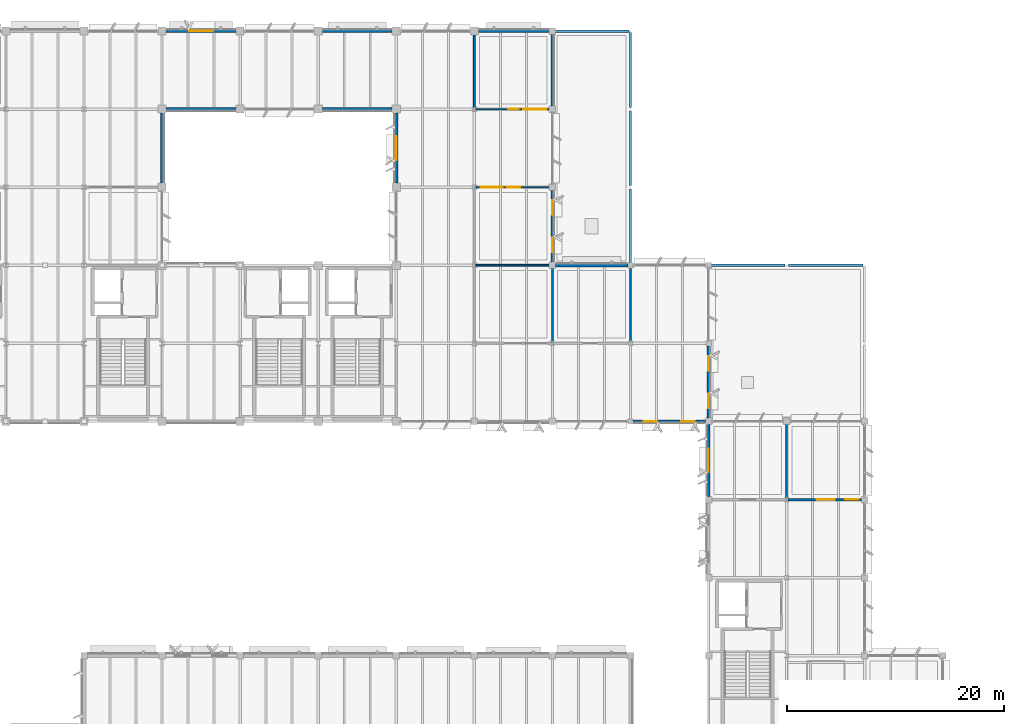
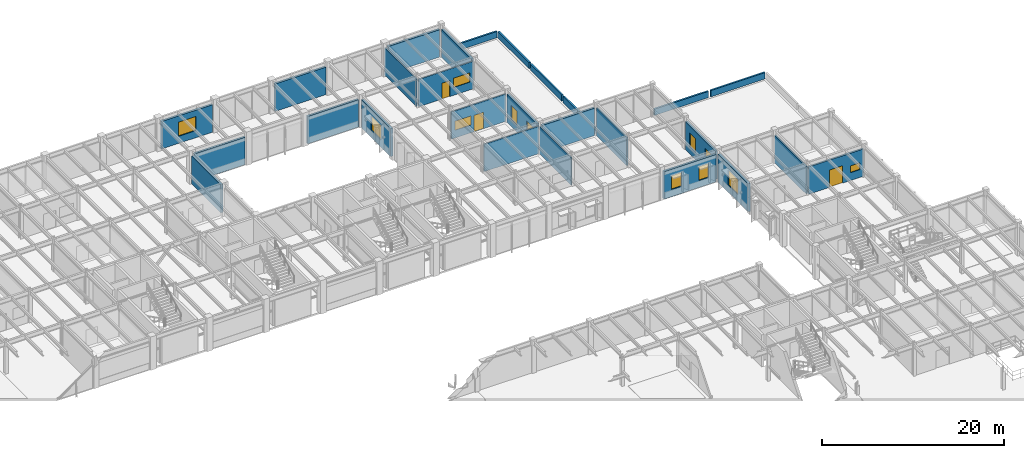
# One storey, part 41 of 92: 27 walls, 12 windows, 3 doors, 15 openings.
"""IFC4 building model written with IfcOpenShell, lengths in metres."""

from ifc_helpers import new_model, si_unit, direction, frame, frame_2d, origin, place, context, subcontext, project, spatial, rectangle, extrude, material, layer, layer_set, type_object, element, fill, save


model = new_model("IFC4")

# Units and contexts
model_context = context("Model", 3, precision=1e-05, world=origin(), true_north=direction((0.0, 1.0)))
body_context = subcontext(model_context, "Body", "Model", "MODEL_VIEW")
ifc_project = project(units=[si_unit("LENGTHUNIT", "METRE"), si_unit("AREAUNIT", "SQUARE_METRE"), si_unit("VOLUMEUNIT", "CUBIC_METRE"), si_unit("PLANEANGLEUNIT", "RADIAN"), si_unit("MASSUNIT", "GRAM", prefix="KILO")], contexts=[model_context])

# Site, building, storey
site_placement = place(None, origin())
site = spatial("IfcSite", under=ifc_project, at=site_placement, CompositionType="ELEMENT")
building_placement = place(site_placement, origin())
building = spatial("IfcBuilding", under=site, at=building_placement, Name="Sillqori Civic Hall", CompositionType="ELEMENT")
storey_placement = place(building_placement, frame((0.0, 0.0, 5.39990234375)))
storey = spatial("IfcBuildingStorey", under=building, at=storey_placement, Name="L02", CompositionType="ELEMENT", Elevation=5.39990234375)

# Walls
ifc_material_1 = material(Name="Precast concrete C40/50 (H40)", Category="concrete")
ifc_layer_1 = layer(ifc_material_1, 0.280029296875)
ifc_layer_set_1 = layer_set([ifc_layer_1], Name="Precast concrete C40/50 (H40)")
wall_type_1 = type_object("IfcWallType", Name="EW-LIME-280", PredefinedType="SOLIDWALL", material=ifc_layer_set_1)
wall_1_placement = place(storey_placement, frame((72.0, 107.625, 0.0), z_axis=(0.0, 0.0, 1.0), x_axis=(0.0, -1.0, 0.0)))
element("IfcWall", 1, at=wall_1_placement, inside=storey, type_object=wall_type_1, Name="L02 V4 exterior wall L02-09-14-E", PredefinedType="SOLIDWALL", context=body_context, shape_type="SweptSolid", body=[
    extrude(rectangle(XDim=6.449951171875, YDim=0.280029296875, at=frame_2d((3.22509765625, 0.0))), origin(), (0.0, 0.0, 1.0), 3.76708984375),
])
wall_2_placement = place(storey_placement, frame((78.824951171875, 108.0, 0.0), z_axis=(0.0, 0.0, 1.0), x_axis=(-1.0, 0.0, 0.0)))
element("IfcWall", 2, at=wall_2_placement, inside=storey, type_object=wall_type_1, Name="L02 V4 exterior wall L02-10-15-S", PredefinedType="SOLIDWALL", context=body_context, shape_type="SweptSolid", body=[
    extrude(rectangle(XDim=6.449951171875, YDim=0.280029296875, at=frame_2d((3.22509765625, 0.0))), origin(), (0.0, 0.0, 1.0), 3.697998046875),
])

# Wall, opening, window
wall_3_placement = place(storey_placement, frame((72.375, 115.199951171875, 0.0), z_axis=(0.0, 0.0, 1.0), x_axis=(1.0, 0.0, 0.0)))
wall_3 = element("IfcWall", 3, at=wall_3_placement, inside=storey, type_object=wall_type_1, Name="L02 V4 exterior wall L02-10-15-N", PredefinedType="SOLIDWALL", context=body_context, shape_type="SweptSolid", body=[
    extrude(rectangle(XDim=6.449951171875, YDim=0.280029296875, at=frame_2d((3.22509765625, 0.0))), origin(), (0.0, 0.0, 1.0), 3.697998046875),
])
opening_1_placement = place(wall_3_placement, frame((2.125, 0.0, 0.949951171875)))
opening_1 = element("IfcOpeningElement", 4, at=opening_1_placement, cuts=wall_3, Name="Opening W-14", PredefinedType="OPENING", context=body_context, shape_type="SweptSolid", body=[
    extrude(rectangle(XDim=2.199951171875, YDim=1.89990234375, at=frame_2d((1.10009765625, 0.949951171875))), frame((0.0, 0.14990234375, 0.0), z_axis=(0.0, -1.0, 0.0), x_axis=(1.0, 0.0, 0.0)), (0.0, 0.0, 1.0), 0.300048828125),
])
ifc_material_2 = material(Name="Thermally Broken Aluminium Low-E Window", Category="aluminium")
window_type_1 = type_object("IfcWindowType", Name="WIN-V4-220X190", PartitioningType="SINGLE_PANEL", PredefinedType="WINDOW", material=ifc_material_2)
window_1_placement = place(opening_1_placement, origin())
window_1 = element("IfcWindow", 5, at=window_1_placement, inside=storey, type_object=window_type_1, Name="L02 V4 window L02-10-15-N.1", OverallHeight=1.89990234375, OverallWidth=2.199951171875, PartitioningType="SINGLE_PANEL", PredefinedType="WINDOW", context=body_context, shape_type="SweptSolid", body=[
    extrude(rectangle(XDim=2.199951171875, YDim=1.89990234375, at=frame_2d((1.10009765625, 0.949951171875))), frame((0.0, 0.030029296875, 0.0), z_axis=(0.0, -1.0, 0.0), x_axis=(1.0, 0.0, 0.0)), (0.0, 0.0, 1.0), 0.06005859375),
])
fill(opening_1, window_1)

# Walls
for number, where, z_axis, x_axis, name in (
    (6, (93.22509765625, 108.0, 0.0), (0.0, 0.0, 1.0), (-1.0, 0.0, 0.0), "L02 V4 exterior wall L02-12-15-S"),
    (7, (86.77490234375, 115.199951171875, 0.0), (0.0, 0.0, 1.0), (1.0, 0.0, 0.0), "L02 V4 exterior wall L02-12-15-N"),
):
    element("IfcWall", number, at=place(storey_placement, frame(where, z_axis=z_axis, x_axis=x_axis)), inside=storey, type_object=wall_type_1, Name=name, PredefinedType="SOLIDWALL", context=body_context, shape_type="SweptSolid", body=[
        extrude(rectangle(XDim=6.4501953125, YDim=0.280029296875, at=frame_2d((3.22509765625, 0.0))), origin(), (0.0, 0.0, 1.0), 3.697998046875),
    ])

# Wall, opening, window
wall_4_placement = place(storey_placement, frame((93.60009765625, 101.175048828125, 0.0), z_axis=(0.0, 0.0, 1.0), x_axis=(0.0, 1.0, 0.0)))
wall_4 = element("IfcWall", 8, at=wall_4_placement, inside=storey, type_object=wall_type_1, Name="L02 V4 exterior wall L02-13-14-W", PredefinedType="SOLIDWALL", context=body_context, shape_type="SweptSolid", body=[
    extrude(rectangle(XDim=6.449951171875, YDim=0.280029296875, at=frame_2d((3.22509765625, 0.0))), origin(), (0.0, 0.0, 1.0), 3.76708984375),
])
opening_2_placement = place(wall_4_placement, frame((2.125, 0.0, 0.949951171875)))
opening_2 = element("IfcOpeningElement", 9, at=opening_2_placement, cuts=wall_4, Name="Opening W-14", PredefinedType="OPENING", context=body_context, shape_type="SweptSolid", body=[
    extrude(rectangle(XDim=2.199951171875, YDim=1.89990234375, at=frame_2d((1.10009765625, 0.949951171875))), frame((0.0, 0.14990234375, 0.0), z_axis=(0.0, -1.0, 0.0), x_axis=(1.0, 0.0, 0.0)), (0.0, 0.0, 1.0), 0.300048828125),
])
window_2_placement = place(opening_2_placement, origin())
window_2 = element("IfcWindow", 10, at=window_2_placement, inside=storey, type_object=window_type_1, Name="L02 V4 window L02-13-14-W.1", OverallHeight=1.89990234375, OverallWidth=2.199951171875, PartitioningType="SINGLE_PANEL", PredefinedType="WINDOW", context=body_context, shape_type="SweptSolid", body=[
    extrude(rectangle(XDim=2.199951171875, YDim=1.89990234375, at=frame_2d((1.10009765625, 0.949951171875))), frame((0.0, 0.030029296875, 0.0), z_axis=(0.0, -1.0, 0.0), x_axis=(1.0, 0.0, 0.0)), (0.0, 0.0, 1.0), 0.06005859375),
])
fill(opening_2, window_2)

# Wall, openings, windows
wall_5_placement = place(storey_placement, frame((108.0, 100.5, 0.0), z_axis=(0.0, 0.0, 1.0), x_axis=(0.0, -1.0, 0.0)))
wall_5 = element("IfcWall", 11, at=wall_5_placement, inside=storey, type_object=wall_type_1, Name="L02 V4 exterior wall L02-14-13-E", PredefinedType="SOLIDWALL", context=body_context, shape_type="SweptSolid", body=[
    extrude(rectangle(XDim=6.60009765625, YDim=0.280029296875, at=frame_2d((3.300048828125, 0.0))), origin(), (0.0, 0.0, 1.0), 3.76708984375),
])
opening_3_placement = place(wall_5_placement, frame((0.908935546875, 0.0, 0.949951171875)))
opening_3 = element("IfcOpeningElement", 12, at=opening_3_placement, cuts=wall_5, Name="Opening W-42", PredefinedType="OPENING", context=body_context, shape_type="SweptSolid", body=[
    extrude(rectangle(XDim=1.35009765625, YDim=1.85009765625, at=frame_2d((0.675048828125, 0.925048828125))), frame((0.0, 0.14990234375, 0.0), z_axis=(0.0, -1.0, 0.0), x_axis=(1.0, 0.0, 0.0)), (0.0, 0.0, 1.0), 0.300048828125),
])
opening_4_placement = place(wall_5_placement, frame((4.341064453125, 0.0, 0.949951171875)))
opening_4 = element("IfcOpeningElement", 13, at=opening_4_placement, cuts=wall_5, Name="Opening W-42", PredefinedType="OPENING", context=body_context, shape_type="SweptSolid", body=[
    extrude(rectangle(XDim=1.35009765625, YDim=1.85009765625, at=frame_2d((0.675048828125, 0.925048828125))), frame((0.0, 0.14990234375, 0.0), z_axis=(0.0, -1.0, 0.0), x_axis=(1.0, 0.0, 0.0)), (0.0, 0.0, 1.0), 0.300048828125),
])
window_type_2 = type_object("IfcWindowType", Name="WIN-GD-135X185", PartitioningType="SINGLE_PANEL", PredefinedType="WINDOW", material=ifc_material_2)
window_3_placement = place(opening_3_placement, origin())
window_3 = element("IfcWindow", 14, at=window_3_placement, inside=storey, type_object=window_type_2, Name="L02 V4 window L02-14-13-E.1", OverallHeight=1.85009765625, OverallWidth=1.35009765625, PartitioningType="SINGLE_PANEL", PredefinedType="WINDOW", context=body_context, shape_type="SweptSolid", body=[
    extrude(rectangle(XDim=1.35009765625, YDim=1.85009765625, at=frame_2d((0.675048828125, 0.925048828125))), frame((0.0, 0.030029296875, 0.0), z_axis=(0.0, -1.0, 0.0), x_axis=(1.0, 0.0, 0.0)), (0.0, 0.0, 1.0), 0.06005859375),
])
fill(opening_3, window_3)
window_4_placement = place(opening_4_placement, origin())
window_4 = element("IfcWindow", 15, at=window_4_placement, inside=storey, type_object=window_type_2, Name="L02 V4 window L02-14-13-E.2", OverallHeight=1.85009765625, OverallWidth=1.35009765625, PartitioningType="SINGLE_PANEL", PredefinedType="WINDOW", context=body_context, shape_type="SweptSolid", body=[
    extrude(rectangle(XDim=1.35009765625, YDim=1.85009765625, at=frame_2d((0.675048828125, 0.925048828125))), frame((0.0, 0.030029296875, 0.0), z_axis=(0.0, -1.0, 0.0), x_axis=(1.0, 0.0, 0.0)), (0.0, 0.0, 1.0), 0.06005859375),
])
fill(opening_4, window_4)

# Walls
wall_6_placement = place(storey_placement, frame((101.175048828125, 115.199951171875, 0.0), z_axis=(0.0, 0.0, 1.0), x_axis=(1.0, 0.0, 0.0)))
element("IfcWall", 16, at=wall_6_placement, inside=storey, type_object=wall_type_1, Name="L02 V4 exterior wall L02-14-15-N", PredefinedType="SOLIDWALL", context=body_context, shape_type="SweptSolid", body=[
    extrude(rectangle(XDim=6.52490234375, YDim=0.280029296875, at=frame_2d((3.262451171875, 0.0))), origin(), (0.0, 0.0, 1.0), 3.697998046875),
])
wall_7_placement = place(storey_placement, frame((108.0, 114.89990234375, 0.0), z_axis=(0.0, 0.0, 1.0), x_axis=(0.0, -1.0, 0.0)))
element("IfcWall", 17, at=wall_7_placement, inside=storey, type_object=wall_type_1, Name="L02 V4 exterior wall L02-14-15-E", PredefinedType="SOLIDWALL", context=body_context, shape_type="SweptSolid", body=[
    extrude(rectangle(XDim=6.599853515625, YDim=0.280029296875, at=frame_2d((3.2998046875, 0.0))), origin(), (0.0, 0.0, 1.0), 3.76708984375),
])
wall_8_placement = place(storey_placement, frame((108.300048828125, 93.60009765625, 0.0), z_axis=(0.0, 0.0, 1.0), x_axis=(1.0, 0.0, 0.0)))
element("IfcWall", 18, at=wall_8_placement, inside=storey, type_object=wall_type_1, Name="L02 V4 exterior wall L02-15-12-N", PredefinedType="SOLIDWALL", context=body_context, shape_type="SweptSolid", body=[
    extrude(rectangle(XDim=6.64990234375, YDim=0.280029296875, at=frame_2d((3.324951171875, 0.0))), origin(), (0.0, 0.0, 1.0), 3.697998046875),
])

# Wall, openings, windows
wall_9_placement = place(storey_placement, frame((122.10009765625, 79.199951171875, 0.0), z_axis=(0.0, 0.0, 1.0), x_axis=(-1.0, 0.0, 0.0)))
wall_9 = element("IfcWall", 19, at=wall_9_placement, inside=storey, type_object=wall_type_1, Name="L02 V4 exterior wall L02-16-11-S", PredefinedType="SOLIDWALL", context=body_context, shape_type="SweptSolid", body=[
    extrude(rectangle(XDim=6.650146484375, YDim=0.280029296875, at=frame_2d((3.3251953125, 0.0))), origin(), (0.0, 0.0, 1.0), 3.697998046875),
])
opening_5_placement = place(wall_9_placement, frame((0.970947265625, 0.0, 0.949951171875)))
opening_5 = element("IfcOpeningElement", 20, at=opening_5_placement, cuts=wall_9, Name="Opening W-41", PredefinedType="OPENING", context=body_context, shape_type="SweptSolid", body=[
    extrude(rectangle(XDim=1.25, YDim=1.85009765625, at=frame_2d((0.625, 0.925048828125))), frame((0.0, 0.14990234375, 0.0), z_axis=(0.0, -1.0, 0.0), x_axis=(1.0, 0.0, 0.0)), (0.0, 0.0, 1.0), 0.300048828125),
])
opening_6_placement = place(wall_9_placement, frame((4.428955078125, 0.0, 0.949951171875)))
opening_6 = element("IfcOpeningElement", 21, at=opening_6_placement, cuts=wall_9, Name="Opening W-41", PredefinedType="OPENING", context=body_context, shape_type="SweptSolid", body=[
    extrude(rectangle(XDim=1.25, YDim=1.85009765625, at=frame_2d((0.625, 0.925048828125))), frame((0.0, 0.14990234375, 0.0), z_axis=(0.0, -1.0, 0.0), x_axis=(1.0, 0.0, 0.0)), (0.0, 0.0, 1.0), 0.300048828125),
])
window_type_3 = type_object("IfcWindowType", Name="WIN-GD-125X185", PartitioningType="SINGLE_PANEL", PredefinedType="WINDOW", material=ifc_material_2)
window_5_placement = place(opening_5_placement, origin())
window_5 = element("IfcWindow", 22, at=window_5_placement, inside=storey, type_object=window_type_3, Name="L02 V4 window L02-16-11-S.1", OverallHeight=1.85009765625, OverallWidth=1.25, PartitioningType="SINGLE_PANEL", PredefinedType="WINDOW", context=body_context, shape_type="SweptSolid", body=[
    extrude(rectangle(XDim=1.25, YDim=1.85009765625, at=frame_2d((0.625, 0.925048828125))), frame((0.0, 0.030029296875, 0.0), z_axis=(0.0, -1.0, 0.0), x_axis=(1.0, 0.0, 0.0)), (0.0, 0.0, 1.0), 0.06005859375),
])
fill(opening_5, window_5)
window_6_placement = place(opening_6_placement, origin())
window_6 = element("IfcWindow", 23, at=window_6_placement, inside=storey, type_object=window_type_3, Name="L02 V4 window L02-16-11-S.2", OverallHeight=1.85009765625, OverallWidth=1.25, PartitioningType="SINGLE_PANEL", PredefinedType="WINDOW", context=body_context, shape_type="SweptSolid", body=[
    extrude(rectangle(XDim=1.25, YDim=1.85009765625, at=frame_2d((0.625, 0.925048828125))), frame((0.0, 0.030029296875, 0.0), z_axis=(0.0, -1.0, 0.0), x_axis=(1.0, 0.0, 0.0)), (0.0, 0.0, 1.0), 0.06005859375),
])
fill(opening_6, window_6)

wall_10_placement = place(storey_placement, frame((122.39990234375, 86.14990234375, 0.0), z_axis=(0.0, 0.0, 1.0), x_axis=(0.0, -1.0, 0.0)))
wall_10 = element("IfcWall", 24, at=wall_10_placement, inside=storey, type_object=wall_type_1, Name="L02 V4 exterior wall L02-16-11-E", PredefinedType="SOLIDWALL", context=body_context, shape_type="SweptSolid", body=[
    extrude(rectangle(XDim=6.64990234375, YDim=0.280029296875, at=frame_2d((3.324951171875, 0.0))), origin(), (0.0, 0.0, 1.0), 3.76708984375),
])
opening_7_placement = place(wall_10_placement, frame((0.9208984375, 0.0, 0.949951171875)))
opening_7 = element("IfcOpeningElement", 25, at=opening_7_placement, cuts=wall_10, Name="Opening W-42", PredefinedType="OPENING", context=body_context, shape_type="SweptSolid", body=[
    extrude(rectangle(XDim=1.35009765625, YDim=1.85009765625, at=frame_2d((0.675048828125, 0.925048828125))), frame((0.0, 0.14990234375, 0.0), z_axis=(0.0, -1.0, 0.0), x_axis=(1.0, 0.0, 0.0)), (0.0, 0.0, 1.0), 0.300048828125),
])
opening_8_placement = place(wall_10_placement, frame((4.37890625, 0.0, 0.949951171875)))
opening_8 = element("IfcOpeningElement", 26, at=opening_8_placement, cuts=wall_10, Name="Opening W-42", PredefinedType="OPENING", context=body_context, shape_type="SweptSolid", body=[
    extrude(rectangle(XDim=1.35009765625, YDim=1.85009765625, at=frame_2d((0.675048828125, 0.925048828125))), frame((0.0, 0.14990234375, 0.0), z_axis=(0.0, -1.0, 0.0), x_axis=(1.0, 0.0, 0.0)), (0.0, 0.0, 1.0), 0.300048828125),
])
window_7_placement = place(opening_7_placement, origin())
window_7 = element("IfcWindow", 27, at=window_7_placement, inside=storey, type_object=window_type_2, Name="L02 V4 window L02-16-11-E.1", OverallHeight=1.85009765625, OverallWidth=1.35009765625, PartitioningType="SINGLE_PANEL", PredefinedType="WINDOW", context=body_context, shape_type="SweptSolid", body=[
    extrude(rectangle(XDim=1.35009765625, YDim=1.85009765625, at=frame_2d((0.675048828125, 0.925048828125))), frame((0.0, 0.030029296875, 0.0), z_axis=(0.0, -1.0, 0.0), x_axis=(1.0, 0.0, 0.0)), (0.0, 0.0, 1.0), 0.06005859375),
])
fill(opening_7, window_7)
window_8_placement = place(opening_8_placement, origin())
window_8 = element("IfcWindow", 28, at=window_8_placement, inside=storey, type_object=window_type_2, Name="L02 V4 window L02-16-11-E.2", OverallHeight=1.85009765625, OverallWidth=1.35009765625, PartitioningType="SINGLE_PANEL", PredefinedType="WINDOW", context=body_context, shape_type="SweptSolid", body=[
    extrude(rectangle(XDim=1.35009765625, YDim=1.85009765625, at=frame_2d((0.675048828125, 0.925048828125))), frame((0.0, 0.030029296875, 0.0), z_axis=(0.0, -1.0, 0.0), x_axis=(1.0, 0.0, 0.0)), (0.0, 0.0, 1.0), 0.06005859375),
])
fill(opening_8, window_8)

# Wall, opening, window
ifc_layer_2 = layer(ifc_material_1, 0.300048828125)
ifc_layer_set_2 = layer_set([ifc_layer_2], Name="Precast concrete C40/50 (H40)")
wall_type_2 = type_object("IfcWallType", Name="EW-LIME-300", PredefinedType="SOLIDWALL", material=ifc_layer_set_2)
wall_11_placement = place(storey_placement, frame((122.39990234375, 72.300048828125, 0.0), z_axis=(0.0, 0.0, 1.0), x_axis=(0.0, 1.0, 0.0)))
wall_11 = element("IfcWall", 29, at=wall_11_placement, inside=storey, type_object=wall_type_2, Name="L02 V3 exterior wall L02-17-10-W", PredefinedType="SOLIDWALL", context=body_context, shape_type="SweptSolid", body=[
    extrude(rectangle(XDim=6.599853515625, YDim=0.300048828125, at=frame_2d((3.2998046875, 0.0))), origin(), (0.0, 0.0, 1.0), 3.76708984375),
])
opening_9_placement = place(wall_11_placement, frame((2.22509765625, 0.0, 0.949951171875)))
opening_9 = element("IfcOpeningElement", 30, at=opening_9_placement, cuts=wall_11, Name="Opening W-37", PredefinedType="OPENING", context=body_context, shape_type="SweptSolid", body=[
    extrude(rectangle(XDim=2.14990234375, YDim=2.050048828125, at=frame_2d((1.074951171875, 1.02490234375))), frame((0.0, 0.159912109375, 0.0), z_axis=(0.0, -1.0, 0.0), x_axis=(1.0, 0.0, 0.0)), (0.0, 0.0, 1.0), 0.320068359375),
])
window_type_4 = type_object("IfcWindowType", Name="WIN-GD-215X205", PartitioningType="SINGLE_PANEL", PredefinedType="WINDOW", material=ifc_material_2)
window_9_placement = place(opening_9_placement, origin())
window_9 = element("IfcWindow", 31, at=window_9_placement, inside=storey, type_object=window_type_4, Name="L02 V3 window L02-17-10-W.1", OverallHeight=2.050048828125, OverallWidth=2.14990234375, PartitioningType="SINGLE_PANEL", PredefinedType="WINDOW", context=body_context, shape_type="SweptSolid", body=[
    extrude(rectangle(XDim=2.14990234375, YDim=2.050048828125, at=frame_2d((1.074951171875, 1.02490234375))), frame((0.0, 0.030029296875, 0.0), z_axis=(0.0, -1.0, 0.0), x_axis=(1.0, 0.0, 0.0)), (0.0, 0.0, 1.0), 0.06005859375),
])
fill(opening_9, window_9)

# Walls
ifc_material_3 = material(Name="Hearing Acoustic Partition 154", Category="gypsum")
ifc_layer_3 = layer(ifc_material_3, 0.154052734375)
ifc_layer_set_3 = layer_set([ifc_layer_3], Name="Hearing Acoustic Partition 154")
wall_type_3 = type_object("IfcWallType", Name="PT-GYP-154", PredefinedType="PARTITIONING", material=ifc_layer_set_3)
for number, where, z_axis, x_axis, name in (
    (32, (100.919921875, 93.60009765625, 0.0), (0.0, 0.0, 1.0), (1.0, 0.0, 0.0), "Staff Seminar and Civic Training Classroom L02-08 partition N2"),
    (33, (108.0, 93.47998046875, 0.0), (0.0, 0.0, 1.0), (0.0, -1.0, 0.0), "Staff Seminar and Civic Training Classroom L02-08 partition E4"),
):
    element("IfcWall", number, at=place(storey_placement, frame(where, z_axis=z_axis, x_axis=x_axis)), inside=storey, type_object=wall_type_3, Name=name, PredefinedType="PARTITIONING", context=body_context, shape_type="SweptSolid", body=[
        extrude(rectangle(XDim=6.9599609375, YDim=0.154052734375, at=frame_2d((3.47998046875, 0.0))), origin(), (0.0, 0.0, 1.0), 3.68798828125),
    ])

# Wall, openings, door, window
ifc_material_4 = material(Name="Hearing Acoustic Partition 158", Category="gypsum")
ifc_layer_4 = layer(ifc_material_4, 0.157958984375)
ifc_layer_set_4 = layer_set([ifc_layer_4], Name="Hearing Acoustic Partition 158")
wall_type_4 = type_object("IfcWallType", Name="PT-GYP-158", PredefinedType="PARTITIONING", material=ifc_layer_set_4)
wall_12_placement = place(storey_placement, frame((100.919921875, 100.800048828125, 0.0), z_axis=(0.0, 0.0, 1.0), x_axis=(1.0, 0.0, 0.0)))
wall_12 = element("IfcWall", 34, at=wall_12_placement, inside=storey, type_object=wall_type_4, Name="Urban Mobility and Transport Directorate L02-09 partition N1", PredefinedType="PARTITIONING", context=body_context, shape_type="SweptSolid", body=[
    extrude(rectangle(XDim=6.9599609375, YDim=0.157958984375, at=frame_2d((3.47998046875, 0.0))), origin(), (0.0, 0.0, 1.0), 3.68798828125),
])
opening_10_placement = place(wall_12_placement, frame((2.85498046875, 0.0, 0.0)))
opening_10 = element("IfcOpeningElement", 35, at=opening_10_placement, cuts=wall_12, Name="Opening ID-23", PredefinedType="OPENING", context=body_context, shape_type="SweptSolid", body=[
    extrude(rectangle(XDim=1.25, YDim=2.199951171875, at=frame_2d((0.625, 1.10009765625))), frame((0.0, 0.0888671875, 0.0), z_axis=(0.0, -1.0, 0.0), x_axis=(1.0, 0.0, 0.0)), (0.0, 0.0, 1.0), 0.177978515625),
])
opening_11_placement = place(wall_12_placement, frame((0.449951171875, 0.0, 1.050048828125)))
opening_11 = element("IfcOpeningElement", 36, at=opening_11_placement, cuts=wall_12, Name="Opening IW-18", PredefinedType="OPENING", context=body_context, shape_type="SweptSolid", body=[
    extrude(rectangle(XDim=2.050048828125, YDim=1.219970703125, at=frame_2d((1.02490234375, 0.60986328125))), frame((0.0, 0.0888671875, 0.0), z_axis=(0.0, -1.0, 0.0), x_axis=(1.0, 0.0, 0.0)), (0.0, 0.0, 1.0), 0.177978515625),
])
ifc_material_5 = material(Name="Conservation Studio Leaf-and-Half", Category="timber")
door_type_1 = type_object("IfcDoorType", Name="IDR-WRK-125X220", OperationType="NOTDEFINED", PredefinedType="DOOR", material=ifc_material_5)
door_1_placement = place(opening_10_placement, origin())
door_1 = element("IfcDoor", 37, at=door_1_placement, inside=storey, type_object=door_type_1, Name="Urban Mobility and Transport Directorate L02-09 entrance door", OperationType="SINGLE_SWING_RIGHT", OverallHeight=2.199951171875, OverallWidth=1.25, PredefinedType="DOOR", context=body_context, shape_type="SweptSolid", body=[
    extrude(rectangle(XDim=1.25, YDim=2.199951171875, at=frame_2d((0.625, 1.10009765625))), frame((0.0, 0.02490234375, 0.0), z_axis=(0.0, -1.0, 0.0), x_axis=(1.0, 0.0, 0.0)), (0.0, 0.0, 1.0), 0.050048828125),
])
fill(opening_10, door_1)
ifc_material_6 = material(Name="Acoustic Laminated Interior Clerestory Glazing", Category="glass")
window_type_5 = type_object("IfcWindowType", Name="IWN-STU-205X122", PartitioningType="SINGLE_PANEL", PredefinedType="WINDOW", material=ifc_material_6)
window_10_placement = place(opening_11_placement, origin())
window_10 = element("IfcWindow", 38, at=window_10_placement, inside=storey, type_object=window_type_5, Name="Urban Mobility and Transport Directorate L02-09 borrowed-light screen", OverallHeight=1.219970703125, OverallWidth=2.050048828125, PartitioningType="SINGLE_PANEL", PredefinedType="WINDOW", context=body_context, shape_type="SweptSolid", body=[
    extrude(rectangle(XDim=2.050048828125, YDim=1.219970703125, at=frame_2d((1.02490234375, 0.60986328125))), frame((0.0, 0.030029296875, 0.0), z_axis=(0.0, -1.0, 0.0), x_axis=(1.0, 0.0, 0.0)), (0.0, 0.0, 1.0), 0.06005859375),
])
fill(opening_11, window_10)

ifc_material_7 = material(Name="Concrete C25/30 (H25)", Category="concrete")
ifc_layer_5 = layer(ifc_material_7, 0.1650390625)
ifc_layer_set_5 = layer_set([ifc_layer_5], Name="Concrete C25/30 (H25)")
wall_type_5 = type_object("IfcWallType", Name="PT-MAS-165", PredefinedType="PARTITIONING", material=ifc_layer_set_5)
wall_13_placement = place(storey_placement, frame((107.8798828125, 108.0, 0.0), z_axis=(0.0, 0.0, 1.0), x_axis=(-1.0, 0.0, 0.0)))
wall_13 = element("IfcWall", 39, at=wall_13_placement, inside=storey, type_object=wall_type_5, Name="Municipal Cadastre GIS Mapping Studio L02-10 partition S1", PredefinedType="PARTITIONING", context=body_context, shape_type="SweptSolid", body=[
    extrude(rectangle(XDim=6.9599609375, YDim=0.1650390625, at=frame_2d((3.47998046875, 0.0))), origin(), (0.0, 0.0, 1.0), 3.68798828125),
])
opening_12_placement = place(wall_13_placement, frame((2.989990234375, 0.0, 0.0)))
opening_12 = element("IfcOpeningElement", 40, at=opening_12_placement, cuts=wall_13, Name="Opening ID-24", PredefinedType="OPENING", context=body_context, shape_type="SweptSolid", body=[
    extrude(rectangle(XDim=0.97998046875, YDim=2.14990234375, at=frame_2d((0.489990234375, 1.074951171875))), frame((0.0, 0.092529296875, 0.0), z_axis=(0.0, -1.0, 0.0), x_axis=(1.0, 0.0, 0.0)), (0.0, 0.0, 1.0), 0.18505859375),
])
opening_13_placement = place(wall_13_placement, frame((0.449951171875, 0.0, 1.050048828125)))
opening_13 = element("IfcOpeningElement", 41, at=opening_13_placement, cuts=wall_13, Name="Opening IW-19", PredefinedType="OPENING", context=body_context, shape_type="SweptSolid", body=[
    extrude(rectangle(XDim=2.10009765625, YDim=1.260009765625, at=frame_2d((1.050048828125, 0.6298828125))), frame((0.0, 0.092529296875, 0.0), z_axis=(0.0, -1.0, 0.0), x_axis=(1.0, 0.0, 0.0)), (0.0, 0.0, 1.0), 0.18505859375),
])
ifc_material_8 = material(Name="Directorate Cedar Door 980", Category="timber")
door_type_2 = type_object("IfcDoorType", Name="IDR-DIR-098X215", OperationType="NOTDEFINED", PredefinedType="DOOR", material=ifc_material_8)
door_2_placement = place(opening_12_placement, origin())
door_2 = element("IfcDoor", 42, at=door_2_placement, inside=storey, type_object=door_type_2, Name="Municipal Cadastre GIS Mapping Studio L02-10 entrance door", OperationType="SINGLE_SWING_LEFT", OverallHeight=2.14990234375, OverallWidth=0.97998046875, PredefinedType="DOOR", context=body_context, shape_type="SweptSolid", body=[
    extrude(rectangle(XDim=0.97998046875, YDim=2.14990234375, at=frame_2d((0.489990234375, 1.074951171875))), frame((0.0, 0.02490234375, 0.0), z_axis=(0.0, -1.0, 0.0), x_axis=(1.0, 0.0, 0.0)), (0.0, 0.0, 1.0), 0.050048828125),
])
fill(opening_12, door_2)
window_type_6 = type_object("IfcWindowType", Name="IWN-STU-210X126", PartitioningType="SINGLE_PANEL", PredefinedType="WINDOW", material=ifc_material_6)
window_11_placement = place(opening_13_placement, origin())
window_11 = element("IfcWindow", 43, at=window_11_placement, inside=storey, type_object=window_type_6, Name="Municipal Cadastre GIS Mapping Studio L02-10 borrowed-light screen", OverallHeight=1.260009765625, OverallWidth=2.10009765625, PartitioningType="SINGLE_PANEL", PredefinedType="WINDOW", context=body_context, shape_type="SweptSolid", body=[
    extrude(rectangle(XDim=2.10009765625, YDim=1.260009765625, at=frame_2d((1.050048828125, 0.6298828125))), frame((0.0, 0.030029296875, 0.0), z_axis=(0.0, -1.0, 0.0), x_axis=(1.0, 0.0, 0.0)), (0.0, 0.0, 1.0), 0.06005859375),
])
fill(opening_13, window_11)

# Walls
wall_14_placement = place(storey_placement, frame((100.800048828125, 108.1201171875, 0.0), z_axis=(0.0, 0.0, 1.0), x_axis=(0.0, 1.0, 0.0)))
element("IfcWall", 44, at=wall_14_placement, inside=storey, type_object=wall_type_5, Name="Municipal Cadastre GIS Mapping Studio L02-10 partition W2", PredefinedType="PARTITIONING", context=body_context, shape_type="SweptSolid", body=[
    extrude(rectangle(XDim=6.9599609375, YDim=0.1650390625, at=frame_2d((3.47998046875, 0.0))), origin(), (0.0, 0.0, 1.0), 3.68798828125),
])
ifc_layer_6 = layer(ifc_material_7, 0.18505859375)
ifc_layer_set_6 = layer_set([ifc_layer_6], Name="Concrete C25/30 (H25)")
wall_type_6 = type_object("IfcWallType", Name="PT-MAS-185", PredefinedType="PARTITIONING", material=ifc_layer_set_6)
wall_15_placement = place(storey_placement, frame((115.199951171875, 93.320068359375, 0.0), z_axis=(0.0, 0.0, 1.0), x_axis=(0.0, -1.0, 0.0)))
element("IfcWall", 45, at=wall_15_placement, inside=storey, type_object=wall_type_6, Name="Environmental Licensing Review Office L02-11 partition E3", PredefinedType="PARTITIONING", context=body_context, shape_type="SweptSolid", body=[
    extrude(rectangle(XDim=6.64013671875, YDim=0.18505859375, at=frame_2d((3.320068359375, 0.0))), origin(), (0.0, 0.0, 1.0), 3.757080078125),
])
ifc_layer_7 = layer(ifc_material_7, 0.199951171875)
ifc_layer_set_7 = layer_set([ifc_layer_7], Name="Concrete C25/30 (H25)")
wall_type_7 = type_object("IfcWallType", Name="PT-MAS-200", PredefinedType="PARTITIONING", material=ifc_layer_set_7)
wall_16_placement = place(storey_placement, frame((129.60009765625, 79.080078125, 0.0), z_axis=(0.0, 0.0, 1.0), x_axis=(0.0, -1.0, 0.0)))
element("IfcWall", 46, at=wall_16_placement, inside=storey, type_object=wall_type_7, Name="Library Open Book Stacks North partition E2", PredefinedType="PARTITIONING", context=body_context, shape_type="SweptSolid", body=[
    extrude(rectangle(XDim=6.9599609375, YDim=0.199951171875, at=frame_2d((3.47998046875, 0.0))), origin(), (0.0, 0.0, 1.0), 3.677978515625),
])

# Wall, openings, door, window
ifc_layer_8 = layer(ifc_material_7, 0.22802734375)
ifc_layer_set_8 = layer_set([ifc_layer_8], Name="Concrete C25/30 (H25)")
wall_type_8 = type_object("IfcWallType", Name="PT-MAS-228", PredefinedType="PARTITIONING", material=ifc_layer_set_8)
wall_17_placement = place(storey_placement, frame((136.679931640625, 72.0, 0.0), z_axis=(0.0, 0.0, 1.0), x_axis=(-1.0, 0.0, 0.0)))
wall_17 = element("IfcWall", 47, at=wall_17_placement, inside=storey, type_object=wall_type_8, Name="Legislative Reference Research Carrels partition S1", PredefinedType="PARTITIONING", context=body_context, shape_type="SweptSolid", body=[
    extrude(rectangle(XDim=6.9599609375, YDim=0.22802734375, at=frame_2d((3.47998046875, 0.0))), origin(), (0.0, 0.0, 1.0), 3.677978515625),
])
opening_14_placement = place(wall_17_placement, frame((2.639892578125, 0.0, 0.0)))
opening_14 = element("IfcOpeningElement", 48, at=opening_14_placement, cuts=wall_17, Name="Opening ID-09", PredefinedType="OPENING", context=body_context, shape_type="SweptSolid", body=[
    extrude(rectangle(XDim=1.679931640625, YDim=2.35009765625, at=frame_2d((0.83984375, 1.175048828125))), frame((0.0, 0.1240234375, 0.0), z_axis=(0.0, -1.0, 0.0), x_axis=(1.0, 0.0, 0.0)), (0.0, 0.0, 1.0), 0.248046875),
])
opening_15_placement = place(wall_17_placement, frame((0.449951171875, 0.0, 1.050048828125)))
opening_15 = element("IfcOpeningElement", 49, at=opening_15_placement, cuts=wall_17, Name="Opening IW-26", PredefinedType="OPENING", context=body_context, shape_type="SweptSolid", body=[
    extrude(rectangle(XDim=1.219970703125, YDim=0.919921875, at=frame_2d((0.60986328125, 0.4599609375))), frame((0.0, 0.1240234375, 0.0), z_axis=(0.0, -1.0, 0.0), x_axis=(1.0, 0.0, 0.0)), (0.0, 0.0, 1.0), 0.248046875),
])
ifc_material_9 = material(Name="Library Reading Room Acoustic Door", Category="timber")
door_type_3 = type_object("IfcDoorType", Name="IDR-LIB-168X235", OperationType="NOTDEFINED", PredefinedType="DOOR", material=ifc_material_9)
door_3_placement = place(opening_14_placement, origin())
door_3 = element("IfcDoor", 50, at=door_3_placement, inside=storey, type_object=door_type_3, Name="Legislative Reference Research Carrels entrance door", OperationType="DOUBLE_DOOR_SINGLE_SWING", OverallHeight=2.35009765625, OverallWidth=1.679931640625, PredefinedType="DOOR", context=body_context, shape_type="SweptSolid", body=[
    extrude(rectangle(XDim=1.679931640625, YDim=2.35009765625, at=frame_2d((0.83984375, 1.175048828125))), frame((0.0, 0.02490234375, 0.0), z_axis=(0.0, -1.0, 0.0), x_axis=(1.0, 0.0, 0.0)), (0.0, 0.0, 1.0), 0.050048828125),
])
fill(opening_14, door_3)
window_type_7 = type_object("IfcWindowType", Name="IWN-GAL-122X092", PartitioningType="SINGLE_PANEL", PredefinedType="WINDOW", material=ifc_material_6)
window_12_placement = place(opening_15_placement, origin())
window_12 = element("IfcWindow", 51, at=window_12_placement, inside=storey, type_object=window_type_7, Name="Legislative Reference Research Carrels borrowed-light screen", OverallHeight=0.919921875, OverallWidth=1.219970703125, PartitioningType="SINGLE_PANEL", PredefinedType="WINDOW", context=body_context, shape_type="SweptSolid", body=[
    extrude(rectangle(XDim=1.219970703125, YDim=0.919921875, at=frame_2d((0.60986328125, 0.4599609375))), frame((0.0, 0.030029296875, 0.0), z_axis=(0.0, -1.0, 0.0), x_axis=(1.0, 0.0, 0.0)), (0.0, 0.0, 1.0), 0.06005859375),
])
fill(opening_15, window_12)

# Walls
ifc_layer_9 = layer(ifc_material_1, 0.219970703125)
ifc_layer_set_9 = layer_set([ifc_layer_9], Name="Precast concrete C40/50 (H40)")
wall_type_9 = type_object("IfcWallType", Name="WP-PAR-220", PredefinedType="PARAPET", material=ifc_layer_set_9)
for number, where, z_axis, x_axis, name in (
    (52, (129.75, 93.60009765625, 0.0), (0.0, 0.0, 1.0), (1.0, 0.0, 0.0), "L02 roof parapet 00"),
    (53, (122.550048828125, 93.60009765625, 0.0), (0.0, 0.0, 1.0), (1.0, 0.0, 0.0), "L02 roof parapet 07"),
):
    element("IfcWall", number, at=place(storey_placement, frame(where, z_axis=z_axis, x_axis=x_axis)), inside=storey, type_object=wall_type_9, Name=name, PredefinedType="PARAPET", context=body_context, shape_type="SweptSolid", body=[
        extrude(rectangle(XDim=6.89990234375, YDim=0.219970703125, at=frame_2d((3.449951171875, 0.0))), origin(), (0.0, 0.0, 1.0), 0.85009765625),
    ])
for number, where, z_axis, x_axis, name in (
    (54, (115.199951171875, 115.050048828125, 0.0), (0.0, 0.0, 1.0), (0.0, -1.0, 0.0), "L02 roof parapet 00"),
    (55, (115.199951171875, 107.85009765625, 0.0), (0.0, 0.0, 1.0), (0.0, -1.0, 0.0), "L02 roof parapet 01"),
):
    element("IfcWall", number, at=place(storey_placement, frame(where, z_axis=z_axis, x_axis=x_axis)), inside=storey, type_object=wall_type_9, Name=name, PredefinedType="PARAPET", context=body_context, shape_type="SweptSolid", body=[
        extrude(rectangle(XDim=6.900146484375, YDim=0.219970703125, at=frame_2d((3.4501953125, 0.0))), origin(), (0.0, 0.0, 1.0), 0.85009765625),
    ])
wall_18_placement = place(storey_placement, frame((115.199951171875, 100.64990234375, 0.0), z_axis=(0.0, 0.0, 1.0), x_axis=(0.0, -1.0, 0.0)))
element("IfcWall", 56, at=wall_18_placement, inside=storey, type_object=wall_type_9, Name="L02 roof parapet 02", PredefinedType="PARAPET", context=body_context, shape_type="SweptSolid", body=[
    extrude(rectangle(XDim=6.89990234375, YDim=0.219970703125, at=frame_2d((3.449951171875, 0.0))), origin(), (0.0, 0.0, 1.0), 0.85009765625),
])
wall_19_placement = place(storey_placement, frame((108.14990234375, 115.199951171875, 0.0), z_axis=(0.0, 0.0, 1.0), x_axis=(1.0, 0.0, 0.0)))
element("IfcWall", 57, at=wall_19_placement, inside=storey, type_object=wall_type_9, Name="L02 roof parapet 07", PredefinedType="PARAPET", context=body_context, shape_type="SweptSolid", body=[
    extrude(rectangle(XDim=6.900146484375, YDim=0.219970703125, at=frame_2d((3.4501953125, 0.0))), origin(), (0.0, 0.0, 1.0), 0.85009765625),
])

save(model, "model.ifc")
